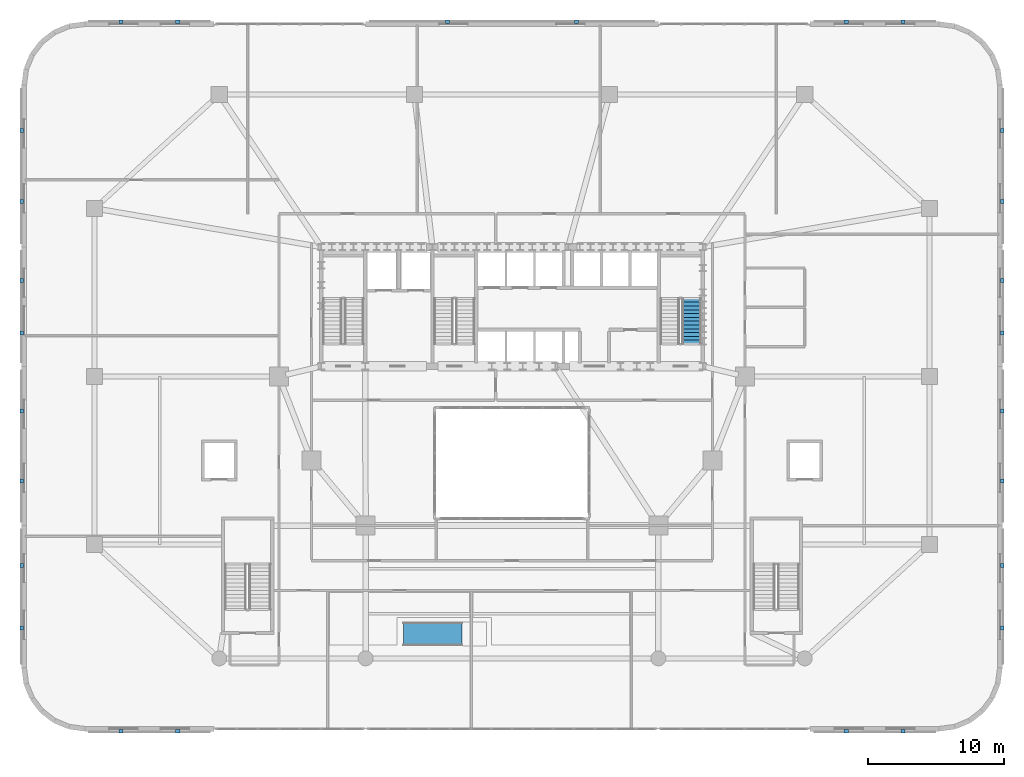
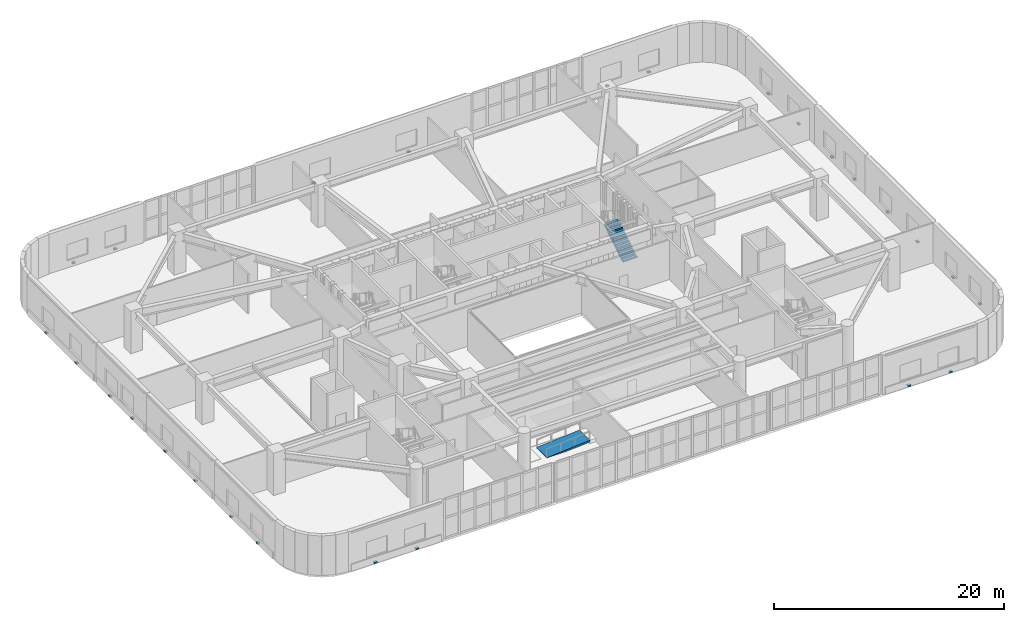
# One storey, part 18 of 25: 26 discrete accessories, 1 ramp flight, 1 stair flight, 2 elements without a shape of their own.
"""IFC4 building model written with IfcOpenShell, lengths in metres."""

from ifc_helpers import new_model, si_unit, direction, frame, origin, origin_2d, place, context, subcontext, project, spatial, polyline, rectangle, outline, extrude, material, layer, layer_set, type_object, element, aggregate, save


model = new_model("IFC4")

# Units and contexts
model_context = context("Model", 3, precision=1e-05, world=origin(), true_north=direction((0.0, 1.0)))
body_context = subcontext(model_context, "Body", "Model", "MODEL_VIEW")
ifc_project = project(units=[si_unit("LENGTHUNIT", "METRE"), si_unit("AREAUNIT", "SQUARE_METRE"), si_unit("VOLUMEUNIT", "CUBIC_METRE"), si_unit("PLANEANGLEUNIT", "RADIAN"), si_unit("MASSUNIT", "GRAM", prefix="KILO")], contexts=[model_context])

# Site, building, storey
site_placement = place(None, origin())
site = spatial("IfcSite", under=ifc_project, at=site_placement, CompositionType="ELEMENT")
building_placement = place(site_placement, origin())
building = spatial("IfcBuilding", under=site, at=building_placement, Name="Haldorwick Loom Tower", CompositionType="ELEMENT")
storey_placement = place(building_placement, frame((0.0, 0.0, 6.0)))
storey = spatial("IfcBuildingStorey", under=building, at=storey_placement, Name="L01", CompositionType="ELEMENT", Elevation=6.0)

# Stair, stair flight
ifc_material_1 = material(Name="Concrete C40 (40 MPa)", Category="concrete")
stair_type = type_object("IfcStairType", Name="STR-STR-CORE", PredefinedType="HALF_TURN_STAIR", material=ifc_material_1)
stair_placement = place(storey_placement, origin())
stair = element("IfcStair", 1, at=stair_placement, inside=storey, type_object=stair_type, Name="L01 Exit Stair ST-02", PredefinedType="HALF_TURN_STAIR")
stair_flight_type = type_object("IfcStairFlightType", Name="STR-STF-1250", PredefinedType="STRAIGHT", material=ifc_material_1)
stair_flight_placement = place(storey_placement, frame((49.25, 28.39990234375, 0.0), z_axis=(0.0, 0.0, 1.0), x_axis=(0.0, 1.0, 0.0)))
stair_flight = element("IfcStairFlight", 2, at=stair_flight_placement, type_object=stair_flight_type, Name="ST-02 flight 1", NumberOfRisers=13, NumberOfTreads=12, PredefinedType="STRAIGHT", RiserHeight=0.173076923, TreadLength=0.28, context=body_context, shape_type="SweptSolid", body=[
    extrude(outline(polyline([(0.0, 0.0), (0.0, 0.173095703125), (0.280029296875, 0.173095703125), (0.280029296875, 0.34619140625), (0.56005859375, 0.34619140625), (0.56005859375, 0.519287109375), (0.840087890625, 0.519287109375), (0.840087890625, 0.6923828125), (1.1201171875, 0.6923828125), (1.1201171875, 0.865478515625), (1.39990234375, 0.865478515625), (1.39990234375, 1.03857421875), (1.679931640625, 1.03857421875), (1.679931640625, 1.21142578125), (1.9599609375, 1.21142578125), (1.9599609375, 1.384521484375), (2.239990234375, 1.384521484375), (2.239990234375, 1.5576171875), (2.52001953125, 1.5576171875), (2.52001953125, 1.730712890625), (2.800048828125, 1.730712890625), (2.800048828125, 1.90380859375), (3.080078125, 1.90380859375), (3.080078125, 2.076904296875), (3.360107421875, 2.076904296875), (3.360107421875, 2.25), (3.360107421875, 1.900634765625), (0.28515625, 0.0), (0.0, 0.0)])), frame((0.0, 0.699951171875, 0.0), z_axis=(0.0, -1.0, 0.0), x_axis=(1.0, 0.0, 0.0)), (0.0, 0.0, 1.0), 1.39990234375),
])
aggregate(stair, [stair_flight])

# Ramp, ramp flight
ramp_type = type_object("IfcRampType", Name="STR-RMP-CONC", PredefinedType="STRAIGHT_RUN_RAMP", material=ifc_material_1)
ramp_placement = place(storey_placement, origin())
ramp = element("IfcRamp", 3, at=ramp_placement, inside=storey, type_object=ramp_type, Name="L01 Accessible Concierge Ramp RMP-06", PredefinedType="STRAIGHT_RUN_RAMP")
ifc_layer = layer(ifc_material_1, 0.219970703125, Name="Concrete C40 (40 MPa)", Category="concrete")
ifc_layer_set = layer_set([ifc_layer], Name="Concrete C40 (40 MPa)")
ramp_flight_type = type_object("IfcRampFlightType", Name="STR-RMF-1800", PredefinedType="STRAIGHT", material=ifc_layer_set)
ramp_flight_placement = place(storey_placement, frame((28.0, 7.0, 0.0), z_axis=(0.0, 0.0, 1.0), x_axis=(1.0, 0.0, 0.0)))
ramp_flight = element("IfcRampFlight", 4, at=ramp_flight_placement, type_object=ramp_flight_type, Name="RMP-06 Accessible Flight", PredefinedType="STRAIGHT", context=body_context, shape_type="SweptSolid", body=[
    extrude(outline(polyline([(0.0, 0.0), (0.0, 0.02001953125), (4.320068359375, 0.360107421875), (4.320068359375, 0.16015625), (1.944091796875, 0.0), (0.0, 0.0)])), frame((0.0, 0.89990234375, 0.0), z_axis=(0.0, -1.0, 0.0), x_axis=(1.0, 0.0, 0.0)), (0.0, 0.0, 1.0), 1.800048828125),
])
aggregate(ramp, [ramp_flight])

# Discrete accessories
ifc_material_2 = material(Name="Galvanized Steel CSA G40.21 350W", Category="steel")
discrete_accessory_type = type_object("IfcDiscreteAccessoryType", Name="ARC-ACC-BRACKET", PredefinedType="BRACKET", material=ifc_material_2)
for number, where, z_axis, x_axis, name in (
    (5, (72.179931640625, 7.43994140625, 0.0), (0.0, 0.0, 1.0), (0.0, 1.0, 0.0), "L01 Stainless Masonry Shelf Angle Bracket 7L"),
    (6, (72.179931640625, 12.06005859375, 0.0), (0.0, 0.0, 1.0), (0.0, 1.0, 0.0), "L01 Stainless Masonry Shelf Angle Bracket 7R"),
    (7, (72.179931640625, 18.2900390625, 0.0), (0.0, 0.0, 1.0), (0.0, 1.0, 0.0), "L01 Stainless Masonry Shelf Angle Bracket 8L"),
    (8, (72.179931640625, 23.4599609375, 0.0), (0.0, 0.0, 1.0), (0.0, 1.0, 0.0), "L01 Stainless Masonry Shelf Angle Bracket 8R"),
    (9, (72.179931640625, 29.214111328125, 0.0), (0.0, 0.0, 1.0), (0.0, 1.0, 0.0), "L01 Stainless Masonry Shelf Angle Bracket 9L"),
    (10, (72.179931640625, 33.0859375, 0.0), (0.0, 0.0, 1.0), (0.0, 1.0, 0.0), "L01 Stainless Masonry Shelf Angle Bracket 9R"),
    (11, (72.179931640625, 38.89599609375, 0.0), (0.0, 0.0, 1.0), (0.0, 1.0, 0.0), "L01 Stainless Masonry Shelf Angle Bracket 10L"),
    (12, (72.179931640625, 44.154052734375, 0.0), (0.0, 0.0, 1.0), (0.0, 1.0, 0.0), "L01 Stainless Masonry Shelf Angle Bracket 10R"),
    (13, (64.840087890625, 52.179931640625, 0.0), (0.0, 0.0, 1.0), (-1.0, 0.0, 0.0), "L01 Stainless Masonry Shelf Angle Bracket 17L"),
    (14, (60.659912109375, 52.179931640625, 0.0), (0.0, 0.0, 1.0), (-1.0, 0.0, 0.0), "L01 Stainless Masonry Shelf Angle Bracket 17R"),
    (15, (40.751953125, 52.179931640625, 0.0), (0.0, 0.0, 1.0), (-1.0, 0.0, 0.0), "L01 Stainless Masonry Shelf Angle Bracket 19L"),
    (16, (31.248046875, 52.179931640625, 0.0), (0.0, 0.0, 1.0), (-1.0, 0.0, 0.0), "L01 Stainless Masonry Shelf Angle Bracket 19R"),
    (17, (11.340087890625, 52.179931640625, 0.0), (0.0, 0.0, 1.0), (-1.0, 0.0, 0.0), "L01 Stainless Masonry Shelf Angle Bracket 21L"),
    (18, (7.159912109375, 52.179931640625, 0.0), (0.0, 0.0, 1.0), (-1.0, 0.0, 0.0), "L01 Stainless Masonry Shelf Angle Bracket 21R"),
    (19, (-0.179931640625, 44.154052734375, 0.0), (0.0, 0.0, 1.0), (0.0, -1.0, 0.0), "L01 Stainless Masonry Shelf Angle Bracket 28L"),
    (20, (-0.179931640625, 38.89599609375, 0.0), (0.0, 0.0, 1.0), (0.0, -1.0, 0.0), "L01 Stainless Masonry Shelf Angle Bracket 28R"),
    (21, (-0.179931640625, 33.0859375, 0.0), (0.0, 0.0, 1.0), (0.0, -1.0, 0.0), "L01 Stainless Masonry Shelf Angle Bracket 29L"),
    (22, (-0.179931640625, 29.214111328125, 0.0), (0.0, 0.0, 1.0), (0.0, -1.0, 0.0), "L01 Stainless Masonry Shelf Angle Bracket 29R"),
    (23, (-0.179931640625, 23.4599609375, 0.0), (0.0, 0.0, 1.0), (0.0, -1.0, 0.0), "L01 Stainless Masonry Shelf Angle Bracket 30L"),
    (24, (-0.179931640625, 18.2900390625, 0.0), (0.0, 0.0, 1.0), (0.0, -1.0, 0.0), "L01 Stainless Masonry Shelf Angle Bracket 30R"),
    (25, (-0.179931640625, 12.06005859375, 0.0), (0.0, 0.0, 1.0), (0.0, -1.0, 0.0), "L01 Stainless Masonry Shelf Angle Bracket 31L"),
    (26, (-0.179931640625, 7.43994140625, 0.0), (0.0, 0.0, 1.0), (0.0, -1.0, 0.0), "L01 Stainless Masonry Shelf Angle Bracket 31R"),
    (27, (7.159912109375, -0.179931640625, 0.0), (0.0, 0.0, 1.0), (1.0, 0.0, 0.0), "L01 Stainless Masonry Shelf Angle Bracket 38L"),
    (28, (11.340087890625, -0.179931640625, 0.0), (0.0, 0.0, 1.0), (1.0, 0.0, 0.0), "L01 Stainless Masonry Shelf Angle Bracket 38R"),
    (29, (60.659912109375, -0.179931640625, 0.0), (0.0, 0.0, 1.0), (1.0, 0.0, 0.0), "L01 Stainless Masonry Shelf Angle Bracket 42L"),
    (30, (64.840087890625, -0.179931640625, 0.0), (0.0, 0.0, 1.0), (1.0, 0.0, 0.0), "L01 Stainless Masonry Shelf Angle Bracket 42R"),
):
    element("IfcDiscreteAccessory", number, at=place(storey_placement, frame(where, z_axis=z_axis, x_axis=x_axis)), inside=storey, type_object=discrete_accessory_type, Name=name, PredefinedType="BRACKET", context=body_context, shape_type="SweptSolid", body=[
        extrude(rectangle(XDim=0.300048828125, YDim=0.239990234375, at=origin_2d()), origin(), (0.0, 0.0, 1.0), 0.159912109375),
    ])

save(model, "model.ifc")
